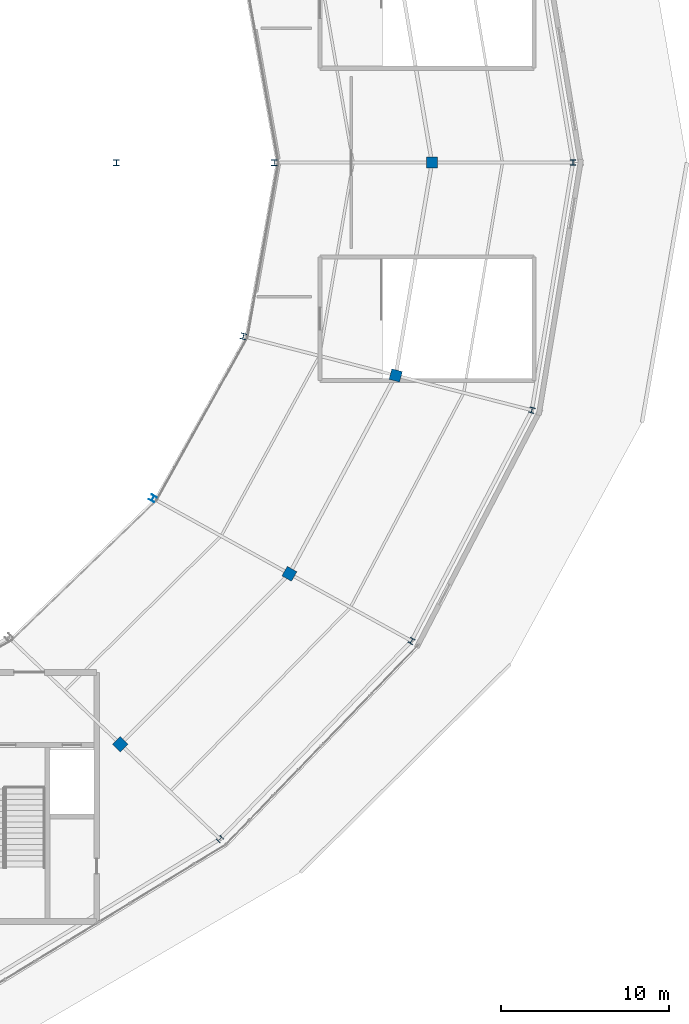
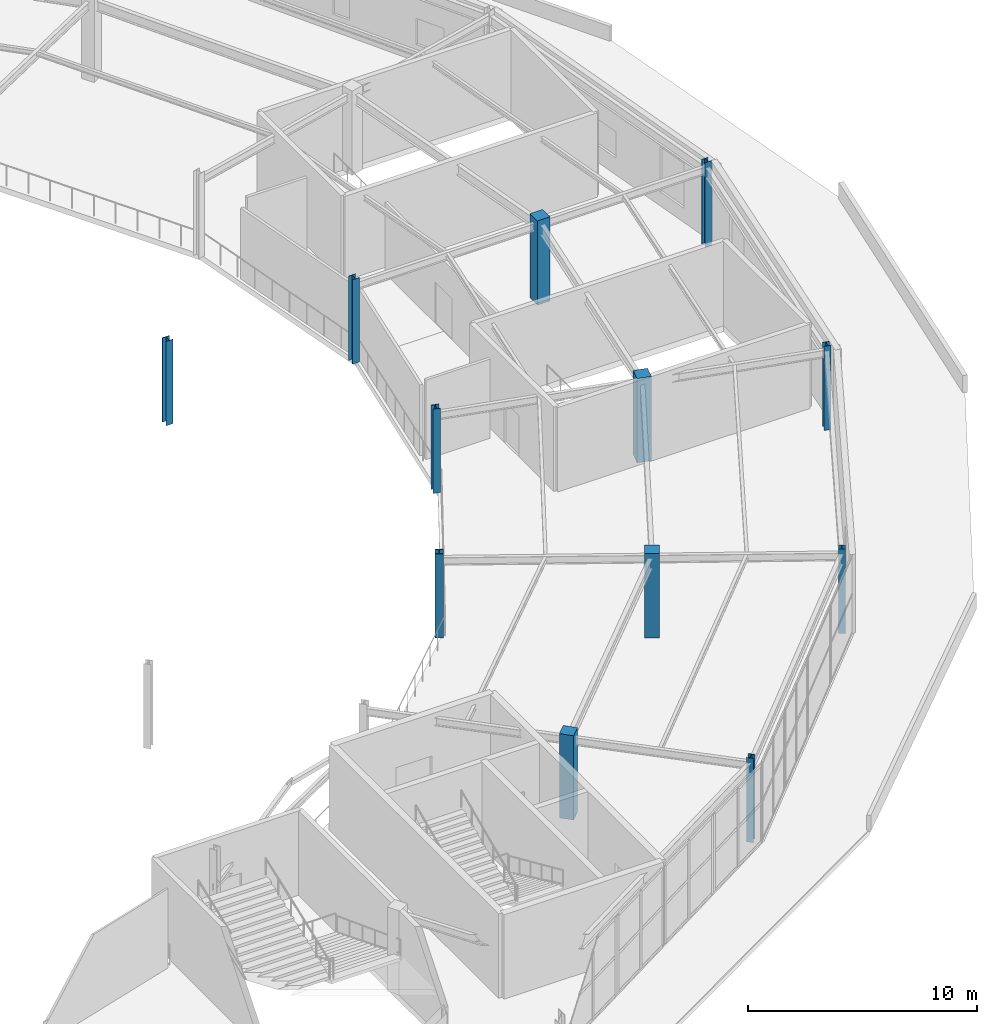
# One storey, part 10 of 126: 12 columns.
"""IFC4 building model written with IfcOpenShell, lengths in metres."""

from ifc_helpers import new_model, si_unit, direction, frame, origin, origin_2d, place, context, subcontext, project, spatial, rectangle, i_section, extrude, material, material_profile, profile_set, type_object, element, save


model = new_model("IFC4")

# Units and contexts
model_context = context("Model", 3, precision=1e-05, world=origin(), true_north=direction((0.0, 1.0)))
body_context = subcontext(model_context, "Body", "Model", "MODEL_VIEW")
ifc_project = project(units=[si_unit("LENGTHUNIT", "METRE"), si_unit("AREAUNIT", "SQUARE_METRE"), si_unit("VOLUMEUNIT", "CUBIC_METRE"), si_unit("PLANEANGLEUNIT", "RADIAN"), si_unit("MASSUNIT", "GRAM", prefix="KILO")], contexts=[model_context])

# Site, building, storey
site_placement = place(None, origin())
site = spatial("IfcSite", under=ifc_project, at=site_placement, CompositionType="ELEMENT")
building_placement = place(site_placement, origin())
building = spatial("IfcBuilding", under=site, at=building_placement, Name="Kalgoora Escarpment Arena", CompositionType="ELEMENT")
storey_placement = place(building_placement, frame((0.0, 0.0, 18.89990234375)))
storey = spatial("IfcBuildingStorey", under=building, at=storey_placement, Name="L04", CompositionType="ELEMENT", Elevation=18.89990234375)

# Columns
ifc_material_1 = material(Name="Structural steel AS/NZS 3679 (300 MPa)", Category="steel")
ifc_material_profile_1 = material_profile(ifc_material_1, i_section(OverallWidth=0.31103515625, OverallDepth=0.326904296875, WebThickness=0.015625, FlangeThickness=0.02490234375, at=origin_2d()))
ifc_profile_set_1 = profile_set([ifc_material_profile_1], Name="Structural steel AS/NZS 3679 (300 MPa)")
column_type_1 = type_object("IfcColumnType", Name="COL-COL-310UC158", PredefinedType="COLUMN", material=ifc_profile_set_1)
for number, where, z_axis, x_axis, name in (
    (1, (164.199951171875, 64.0, 0.0), (0.0, 0.0, 1.0), (1.0, 0.0, 0.0), "L04 structural column COL-RCONC2-R01"),
    (2, (143.17041015625, 23.69482421875, 0.0), (0.0, 0.0, 1.0), (0.707106781187, -0.707106781187, 0.0), "L04 structural column COL-RCONC2-R22"),
    (3, (154.58056640625, 35.5, 0.0), (0.0, 0.0, 1.0), (0.866025403784, -0.5, 0.0), "L04 structural column COL-RCONC2-R23"),
    (4, (161.75341796875, 49.247314453125, 0.0), (0.0, 0.0, 1.0), (0.965925826289, -0.258819045103, 0.0), "L04 structural column COL-RCONC2-R24"),
):
    element("IfcColumn", number, at=place(storey_placement, frame(where, z_axis=z_axis, x_axis=x_axis)), inside=storey, type_object=column_type_1, Name=name, PredefinedType="COLUMN", context=body_context, shape_type="SweptSolid", body=[
        extrude(i_section(OverallWidth=0.31103515625, OverallDepth=0.326904296875, WebThickness=0.015625, FlangeThickness=0.02490234375, at=origin_2d()), origin(), (0.0, 0.0, 1.0), 4.5),
    ])
ifc_material_2 = material(Name="Structural steel Grade 350 (350 MPa)", Category="steel")
ifc_material_profile_2 = material_profile(ifc_material_2, i_section(OverallWidth=0.35009765625, OverallDepth=0.35009765625, WebThickness=0.013916015625, FlangeThickness=0.02392578125, at=origin_2d()))
ifc_profile_set_2 = profile_set([ifc_material_profile_2], Name="Structural steel Grade 350 (350 MPa)")
column_type_2 = type_object("IfcColumnType", Name="COL-COL-350WC197", PredefinedType="COLUMN", material=ifc_profile_set_2)
for number, where, z_axis, x_axis, name in (
    (5, (146.39990234375, 64.0, 0.0), (0.0, 0.0, 1.0), (1.0, 0.0, 0.0), "L04 structural column COL-RMAIN-R01"),
    (6, (139.165283203125, 44.0, 0.0), (0.0, 0.0, 1.0), (0.866025403784, -0.5, 0.0), "L04 structural column COL-RMAIN-R23"),
    (7, (144.56005859375, 53.647216796875, 0.0), (0.0, 0.0, 1.0), (0.965925826289, -0.258819045103, 0.0), "L04 structural column COL-RMAIN-R24"),
    (8, (137.0, 64.0, 0.0), (0.0, 0.0, 1.0), (1.0, 0.0, 0.0), "L04 structural column COL-TSPINE-S01"),
):
    element("IfcColumn", number, at=place(storey_placement, frame(where, z_axis=z_axis, x_axis=x_axis)), inside=storey, type_object=column_type_2, Name=name, PredefinedType="COLUMN", context=body_context, shape_type="SweptSolid", body=[
        extrude(i_section(OverallWidth=0.35009765625, OverallDepth=0.35009765625, WebThickness=0.013916015625, FlangeThickness=0.02392578125, at=origin_2d()), origin(), (0.0, 0.0, 1.0), 4.5),
    ])
ifc_material_3 = material(Name="Concrete N50 (fc' 50 MPa)", Category="concrete")
ifc_material_profile_3 = material_profile(ifc_material_3, rectangle(XDim=0.64990234375, YDim=0.64990234375, at=origin_2d()))
ifc_profile_set_3 = profile_set([ifc_material_profile_3], Name="Concrete N50 (fc' 50 MPa)")
column_type_3 = type_object("IfcColumnType", Name="COL-COL-RC650x650", PredefinedType="COLUMN", material=ifc_profile_set_3)
for number, where, z_axis, x_axis, name in (
    (9, (155.800048828125, 64.0, 0.0), (0.0, 0.0, 1.0), (1.0, 0.0, 0.0), "L04 structural column COL-RCONC1-R01"),
    (10, (137.230712890625, 29.351806640625, 0.0), (0.0, 0.0, 1.0), (0.707106781187, -0.707106781187, 0.0), "L04 structural column COL-RCONC1-R22"),
    (11, (147.305908203125, 39.5, 0.0), (0.0, 0.0, 1.0), (0.866025403784, -0.5, 0.0), "L04 structural column COL-RCONC1-R23"),
    (12, (153.6396484375, 51.31787109375, 0.0), (0.0, 0.0, 1.0), (0.965925826289, -0.258819045103, 0.0), "L04 structural column COL-RCONC1-R24"),
):
    element("IfcColumn", number, at=place(storey_placement, frame(where, z_axis=z_axis, x_axis=x_axis)), inside=storey, type_object=column_type_3, Name=name, PredefinedType="COLUMN", context=body_context, shape_type="SweptSolid", body=[
        extrude(rectangle(XDim=0.64990234375, YDim=0.64990234375, at=origin_2d()), origin(), (0.0, 0.0, 1.0), 4.5),
    ])

save(model, "model.ifc")
